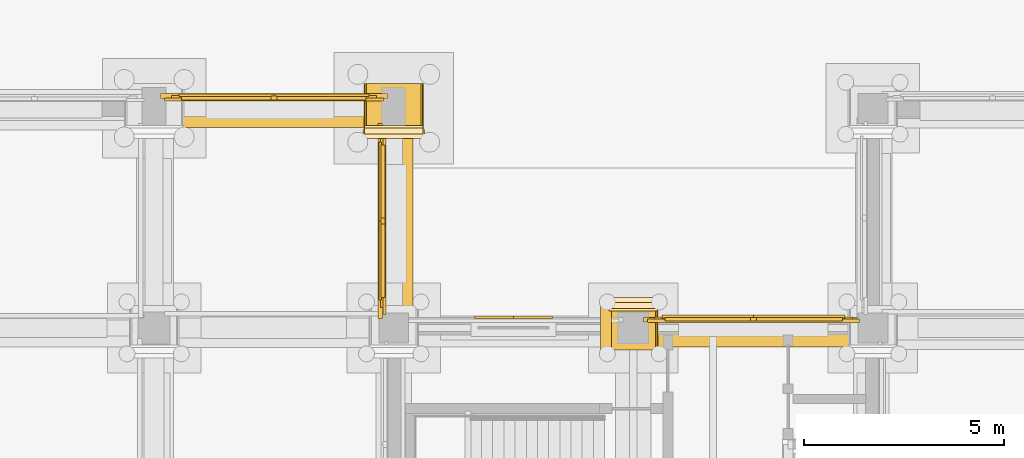
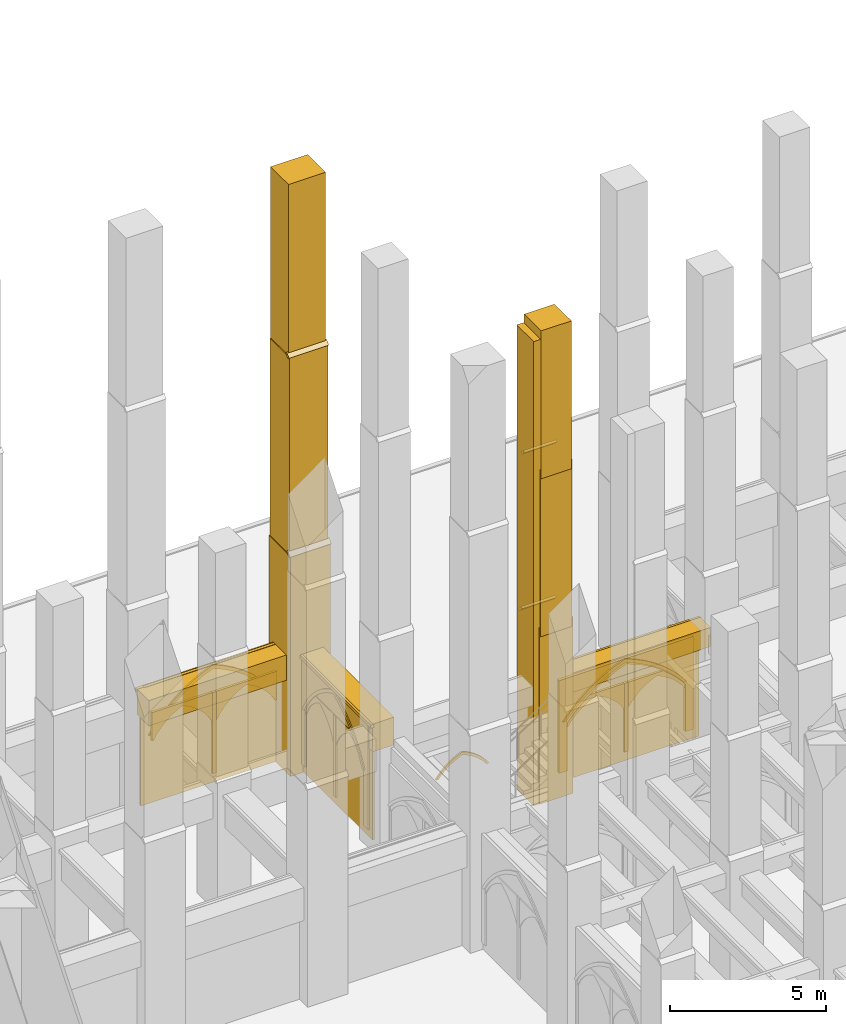
# One storey, part 120 of 135: 36 coverings.
"""IFC4 building model written with IfcOpenShell, lengths in metres."""

from ifc_helpers import new_model, si_unit, direction, frame, origin, origin_2d, place, context, subcontext, project, spatial, polyline, rectangle, outline, extrude, material, type_object, element, save


model = new_model("IFC4")

# Units and contexts
model_context = context("Model", 3, precision=1e-05, world=origin(), true_north=direction((0.0, 1.0)))
body_context = subcontext(model_context, "Body", "Model", "MODEL_VIEW")
ifc_project = project(units=[si_unit("LENGTHUNIT", "METRE"), si_unit("AREAUNIT", "SQUARE_METRE"), si_unit("VOLUMEUNIT", "CUBIC_METRE"), si_unit("PLANEANGLEUNIT", "RADIAN"), si_unit("MASSUNIT", "GRAM", prefix="KILO")], contexts=[model_context])

# Site, building, storey
site_placement = place(None, origin())
site = spatial("IfcSite", under=ifc_project, at=site_placement, CompositionType="ELEMENT")
building_placement = place(site_placement, origin())
building = spatial("IfcBuilding", under=site, at=building_placement, Name="Cumevento Cable Car Station", CompositionType="ELEMENT")
storey_placement = place(building_placement, origin())
storey = spatial("IfcBuildingStorey", under=building, at=storey_placement, Name="L01", CompositionType="ELEMENT", Elevation=0.0)

# Coverings
ifc_material = material(Name="Gnaisse Facoidal Stone Ashlar 85 MPa", Category="masonry")
covering_type = type_object("IfcCoveringType", Name="Gnaisse Ashlar Cladding CV-CL01", PredefinedType="CLADDING", material=ifc_material)
covering_1_placement = place(storey_placement, frame((118.0, 56.4423828125, -0.06005859375), z_axis=(0.0, 0.0, 1.0), x_axis=(1.0, 0.0, 0.0)))
element("IfcCovering", 1, at=covering_1_placement, inside=storey, type_object=covering_type, Name="Stepped Gothic Stone Buttress Tier 1 bt:118.0:56.5", PredefinedType="CLADDING", context=body_context, shape_type="SweptSolid", body=[
    extrude(rectangle(XDim=1.489990234375, YDim=1.364990234375, at=origin_2d()), origin(), (0.0, 0.0, 1.0), 8.595703125),
])
covering_2_placement = place(storey_placement, frame((117.235107421875, 55.739990234375, 8.515625), z_axis=(0.0, -0.711135781079, 0.703054692658), x_axis=(1.0, 0.0, 0.0)))
element("IfcCovering", 2, at=covering_2_placement, inside=storey, type_object=covering_type, Name="Gothic Buttress Sloped Stone Weathering 1 bt:118.0:56.5", PredefinedType="CLADDING", context=body_context, shape_type="SweptSolid", body=[
    extrude(outline(polyline([(0.0, 0.0), (1.52978515625, 0.0), (1.52978515625, 0.24169083397703695), (0.0, 0.24169083397703695), (0.0, 0.0)])), origin(), (0.0, 0.0, -1.0), 0.090087890625),
])
covering_3_placement = place(storey_placement, frame((118.0, 56.50244140625, 8.0830078125), z_axis=(0.0, 0.0, 1.0), x_axis=(1.0, 0.0, 0.0)))
element("IfcCovering", 3, at=covering_3_placement, inside=storey, type_object=covering_type, Name="Stepped Gothic Stone Buttress Tier 2 bt:118.0:56.5", PredefinedType="CLADDING", context=body_context, shape_type="SweptSolid", body=[
    extrude(rectangle(XDim=1.429931640625, YDim=1.2451171875, at=origin_2d()), origin(), (0.0, 0.0, 1.0), 8.143310546875),
])
covering_4_placement = place(storey_placement, frame((117.264892578125, 55.860107421875, 16.206298828125), z_axis=(0.0, -0.714474823669, 0.699661151089), x_axis=(1.0, 0.0, 0.0)))
element("IfcCovering", 4, at=covering_4_placement, inside=storey, type_object=covering_type, Name="Gothic Buttress Sloped Stone Weathering 2 bt:118.0:56.5", PredefinedType="CLADDING", context=body_context, shape_type="SweptSolid", body=[
    extrude(outline(polyline([(0.0, 0.0), (1.47021484375, 0.0), (1.47021484375, 0.21424991728737658), (0.0, 0.21424991728737658), (0.0, 0.0)])), origin(), (0.0, 0.0, -1.0), 0.090087890625),
])
covering_5_placement = place(storey_placement, frame((118.0, 56.552490234375, 15.77392578125), z_axis=(0.0, 0.0, 1.0), x_axis=(1.0, 0.0, 0.0)))
element("IfcCovering", 5, at=covering_5_placement, inside=storey, type_object=covering_type, Name="Stepped Gothic Stone Buttress Tier 3 bt:118.0:56.5", PredefinedType="CLADDING", context=body_context, shape_type="SweptSolid", body=[
    extrude(rectangle(XDim=1.3701171875, YDim=1.14501953125, at=origin_2d()), origin(), (0.0, 0.0, 1.0), 7.1259765625),
])
covering_6_placement = place(storey_placement, frame((124.0, 51.090087890625, -0.06005859375), z_axis=(0.0, 0.0, 1.0), x_axis=(-1.0, 0.0, 0.0)))
element("IfcCovering", 6, at=covering_6_placement, inside=storey, type_object=covering_type, Name="Stepped Gothic Stone Buttress Tier 1 bt:124.0:51.0", PredefinedType="CLADDING", context=body_context, shape_type="SweptSolid", body=[
    extrude(rectangle(XDim=1.239990234375, YDim=1.300048828125, at=origin_2d()), origin(), (0.0, 0.0, 1.0), 6.885498046875),
])
covering_7_placement = place(storey_placement, frame((124.639892578125, 51.760009765625, 6.8056640625), z_axis=(0.0, 0.711135781079, 0.703054692658), x_axis=(-1.0, 0.0, 0.0)))
element("IfcCovering", 7, at=covering_7_placement, inside=storey, type_object=covering_type, Name="Gothic Buttress Sloped Stone Weathering 1 bt:124.0:51.0", PredefinedType="CLADDING", context=body_context, shape_type="SweptSolid", body=[
    extrude(outline(polyline([(0.0, 0.0), (1.27978515625, 0.0), (1.27978515625, 0.24169083397703695), (0.0, 0.24169083397703695), (0.0, 0.0)])), origin(), (0.0, 0.0, -1.0), 0.090087890625),
])
covering_8_placement = place(storey_placement, frame((124.0, 51.030029296875, 6.46337890625), z_axis=(0.0, 0.0, 1.0), x_axis=(-1.0, 0.0, 0.0)))
element("IfcCovering", 8, at=covering_8_placement, inside=storey, type_object=covering_type, Name="Stepped Gothic Stone Buttress Tier 2 bt:124.0:51.0", PredefinedType="CLADDING", context=body_context, shape_type="SweptSolid", body=[
    extrude(rectangle(XDim=1.179931640625, YDim=1.179931640625, at=origin_2d()), origin(), (0.0, 0.0, 1.0), 6.523193359375),
])
covering_9_placement = place(storey_placement, frame((124.610107421875, 51.639892578125, 12.96630859375), z_axis=(0.0, 0.714474823669, 0.699661151089), x_axis=(-1.0, 0.0, 0.0)))
element("IfcCovering", 9, at=covering_9_placement, inside=storey, type_object=covering_type, Name="Gothic Buttress Sloped Stone Weathering 2 bt:124.0:51.0", PredefinedType="CLADDING", context=body_context, shape_type="SweptSolid", body=[
    extrude(outline(polyline([(0.0, 0.0), (1.22021484375, 0.0), (1.22021484375, 0.21424991728737655), (0.0, 0.21424991728737655), (0.0, 0.0)])), origin(), (0.0, 0.0, -1.0), 0.090087890625),
])
covering_10_placement = place(storey_placement, frame((124.0, 50.97998046875, 12.6240234375), z_axis=(0.0, 0.0, 1.0), x_axis=(-1.0, 0.0, 0.0)))
element("IfcCovering", 10, at=covering_10_placement, inside=storey, type_object=covering_type, Name="Stepped Gothic Stone Buttress Tier 3 bt:124.0:51.0", PredefinedType="CLADDING", context=body_context, shape_type="SweptSolid", body=[
    extrude(rectangle(XDim=1.1201171875, YDim=1.080078125, at=origin_2d()), origin(), (0.0, 0.0, 1.0), 5.77587890625),
])
covering_11_placement = place(storey_placement, frame((123.320068359375, 51.0, -0.06005859375), z_axis=(0.0, 0.0, 1.0), x_axis=(1.0, 0.0, 0.0)))
element("IfcCovering", 11, at=covering_11_placement, inside=storey, type_object=covering_type, Name="Corner Buttress Stone Return (124.0,51.0)", PredefinedType="CLADDING", context=body_context, shape_type="SweptSolid", body=[
    extrude(rectangle(XDim=0.280029296875, YDim=1.080078125, at=origin_2d()), origin(), (0.0, 0.0, 1.0), 18.1201171875),
])
covering_12_placement = place(storey_placement, frame((115.0, 56.39990234375, 3.5400390625), z_axis=(0.0, 0.0, 1.0), x_axis=(1.0, 0.0, 0.0)))
element("IfcCovering", 12, at=covering_12_placement, inside=storey, type_object=covering_type, Name="Gothic Stone Spandrel Stringcourse sc:0149", PredefinedType="CLADDING", context=body_context, shape_type="SweptSolid", body=[
    extrude(rectangle(XDim=5.639892578125, YDim=0.760009765625, at=origin_2d()), origin(), (0.0, 0.0, 1.0), 0.989990234375),
])
covering_13_placement = place(storey_placement, frame((115.0, 56.8076171875, 4.400146484375), z_axis=(0.0, 0.0, 1.0), x_axis=(1.0, 0.0, 0.0)))
element("IfcCovering", 13, at=covering_13_placement, inside=storey, type_object=covering_type, Name="Gothic Cornice Dripstone Lip sc:0149", PredefinedType="CLADDING", context=body_context, shape_type="SweptSolid", body=[
    extrude(rectangle(XDim=5.679931640625, YDim=0.114990234375, at=origin_2d()), origin(), (0.0, 0.0, 1.0), 0.1298828125),
])
covering_14_placement = place(storey_placement, frame((118.08740234375, 53.675048828125, 3.47802734375), z_axis=(0.0, 0.0, 1.0), x_axis=(0.0, 1.0, 0.0)))
element("IfcCovering", 14, at=covering_14_placement, inside=storey, type_object=covering_type, Name="Gothic Stone Spandrel Stringcourse sc:0159", PredefinedType="CLADDING", context=body_context, shape_type="SweptSolid", body=[
    extrude(rectangle(XDim=4.840087890625, YDim=0.784912109375, at=origin_2d()), origin(), (0.0, 0.0, 1.0), 1.090087890625),
])
covering_15_placement = place(storey_placement, frame((117.66748046875, 53.675048828125, 4.43798828125), z_axis=(0.0, 0.0, 1.0), x_axis=(0.0, 1.0, 0.0)))
element("IfcCovering", 15, at=covering_15_placement, inside=storey, type_object=covering_type, Name="Gothic Cornice Dripstone Lip sc:0159", PredefinedType="CLADDING", context=body_context, shape_type="SweptSolid", body=[
    extrude(rectangle(XDim=4.8798828125, YDim=0.114990234375, at=origin_2d()), origin(), (0.0, 0.0, 1.0), 0.1298828125),
])
covering_16_placement = place(storey_placement, frame((127.012451171875, 50.85009765625, 3.821044921875), z_axis=(0.0, 0.0, 1.0), x_axis=(1.0, 0.0, 0.0)))
element("IfcCovering", 16, at=covering_16_placement, inside=storey, type_object=covering_type, Name="Gothic Stone Spandrel Stringcourse sc:0231", PredefinedType="CLADDING", context=body_context, shape_type="SweptSolid", body=[
    extrude(rectangle(XDim=5.465087890625, YDim=0.659912109375, at=origin_2d()), origin(), (0.0, 0.0, 1.0), 0.7470703125),
])
covering_17_placement = place(storey_placement, frame((127.012451171875, 51.20751953125, 4.43798828125), z_axis=(0.0, 0.0, 1.0), x_axis=(1.0, 0.0, 0.0)))
element("IfcCovering", 17, at=covering_17_placement, inside=storey, type_object=covering_type, Name="Gothic Cornice Dripstone Lip sc:0231", PredefinedType="CLADDING", context=body_context, shape_type="SweptSolid", body=[
    extrude(rectangle(XDim=5.5048828125, YDim=0.114990234375, at=origin_2d()), origin(), (0.0, 0.0, 1.0), 0.1298828125),
])
covering_18_placement = place(storey_placement, frame((112.300048828125, 56.5, 0.0), z_axis=(0.0, 0.0, 1.0), x_axis=(1.0, 0.0, 0.0)))
element("IfcCovering", 18, at=covering_18_placement, inside=storey, type_object=covering_type, Name="Exterior Gnaisse Stone Wall Ashlar #46", PredefinedType="CLADDING", context=body_context, shape_type="SweptSolid", body=[
    extrude(outline(polyline([(-0.0400390625, -0.02001953125), (5.43994140625, -0.02001953125), (5.43994140625, 4.52001953125), (-0.0400390625, 4.52001953125), (-0.0400390625, -0.02001953125)])), frame((0.0, 0.262451171875, 0.0), z_axis=(0.0, -1.0, 0.0), x_axis=(1.0, 0.0, 0.0)), (0.0, 0.0, 1.0), 0.0849609375),
])
placement_1 = place(storey_placement, frame((112.47998046875, 56.5, 0.300048828125), z_axis=(0.0, 0.0, 1.0), x_axis=(1.0, 0.0, 0.0)))
element("IfcCovering", 19, at=placement_1, inside=storey, type_object=covering_type, Name="Gothic Ogival Pointed-Arch Stone Spandrel blind_ogival:0046", PredefinedType="CLADDING", context=body_context, shape_type="SweptSolid", body=[
    extrude(outline(polyline([(-0.050048828125, 0.0), (-0.050048828125, 4.239990234375), (5.090087890625, 4.239990234375), (5.090087890625, 0.0), (4.780029296875, 0.0), (4.780029296875, 2.219970703125), (4.531982421875, 2.55810546875), (4.255126953125, 2.872802734375), (3.951416015625, 3.161865234375), (3.62353515625, 3.423095703125), (3.273681640625, 3.654296875), (2.905029296875, 3.853759765625), (2.52001953125, 4.02001953125), (2.135009765625, 3.853759765625), (1.766357421875, 3.654296875), (1.41650390625, 3.423095703125), (1.088623046875, 3.161865234375), (0.784912109375, 2.872802734375), (0.508056640625, 2.55810546875), (0.260009765625, 2.219970703125), (0.260009765625, 0.0), (-0.050048828125, 0.0)])), frame((0.0, 0.3173828125, 0.0), z_axis=(0.0, -1.0, 0.0), x_axis=(1.0, 0.0, 0.0)), (0.0, 0.0, 1.0), 0.110107421875),
])
covering_20_placement = place(storey_placement, frame((112.47998046875, 56.5, 2.52001953125), z_axis=(0.0, 0.0, 1.0), x_axis=(1.0, 0.0, 0.0)))
element("IfcCovering", 20, at=covering_20_placement, inside=storey, type_object=covering_type, Name="Gothic Pointed Archivolt Hood Moulding blind_ogival:0046", PredefinedType="CLADDING", context=body_context, shape_type="SweptSolid", body=[
    extrude(outline(polyline([(0.260009765625, 0.0), (0.508056640625, 0.338134765625), (0.784912109375, 0.65283203125), (1.088623046875, 0.94189453125), (1.41650390625, 1.203125), (1.766357421875, 1.434326171875), (2.135009765625, 1.6337890625), (2.52001953125, 1.800048828125), (2.905029296875, 1.6337890625), (3.273681640625, 1.434326171875), (3.62353515625, 1.203125), (3.951416015625, 0.94189453125), (4.255126953125, 0.65283203125), (4.531982421875, 0.338134765625), (4.780029296875, 0.0), (4.90087890625, 0.0), (4.6435546875, 0.365478515625), (4.354248046875, 0.706298828125), (4.03564453125, 1.01953125), (3.689697265625, 1.302978515625), (3.31982421875, 1.553955078125), (2.928955078125, 1.770751953125), (2.52001953125, 1.951171875), (2.111083984375, 1.770751953125), (1.72021484375, 1.553955078125), (1.350341796875, 1.302978515625), (1.00439453125, 1.01953125), (0.685791015625, 0.706298828125), (0.396484375, 0.365478515625), (0.138916015625, 0.0), (0.260009765625, 0.0)])), frame((0.0, 0.359619140625, 0.0), z_axis=(0.0, -1.0, 0.0), x_axis=(1.0, 0.0, 0.0)), (0.0, 0.0, 1.0), 0.06689453125),
])
element("IfcCovering", 21, at=placement_1, inside=storey, type_object=covering_type, Name="Gothic Bifora Stone Colonnette blind_ogival:0046 #1", PredefinedType="CLADDING", context=body_context, shape_type="SweptSolid", body=[
    extrude(outline(polyline([(2.445068359375, -0.02001953125), (2.594970703125, -0.02001953125), (2.594970703125, 3.156005859375), (2.445068359375, 3.156005859375), (2.445068359375, -0.02001953125)])), frame((0.0, 0.305419921875, 0.0), z_axis=(0.0, -1.0, 0.0), x_axis=(1.0, 0.0, 0.0)), (0.0, 0.0, 1.0), 0.094970703125),
])
for number, where, z_axis, x_axis, name in (
    (22, (112.7099609375, 56.5, 2.340087890625), (0.0, 0.0, 1.0), (1.0, 0.0, 0.0), "Gothic Ogival Pointed-Arch Stone Spandrel blind_ogival:0046:sub:0"),
    (23, (115.044921875, 56.5, 2.340087890625), (0.0, 0.0, 1.0), (1.0, 0.0, 0.0), "Gothic Ogival Pointed-Arch Stone Spandrel blind_ogival:0046:sub:1"),
):
    element("IfcCovering", number, at=place(storey_placement, frame(where, z_axis=z_axis, x_axis=x_axis)), inside=storey, type_object=covering_type, Name=name, PredefinedType="CLADDING", context=body_context, shape_type="SweptSolid", body=[
        extrude(outline(polyline([(-0.02001953125, 0.0), (-0.02001953125, 1.115966796875), (2.264892578125, 1.115966796875), (2.264892578125, 0.0), (2.205078125, 0.0), (2.076171875, 0.214111328125), (1.923828125, 0.412109375), (1.75, 0.591552734375), (1.556640625, 0.75), (1.3466796875, 0.88525390625), (1.12255859375, 0.99609375), (0.8984375, 0.88525390625), (0.6884765625, 0.75), (0.4951171875, 0.591552734375), (0.3212890625, 0.412109375), (0.1689453125, 0.214111328125), (0.0400390625, 0.0), (-0.02001953125, 0.0)])), frame((0.0, 0.301513671875, 0.0), z_axis=(0.0, -1.0, 0.0), x_axis=(1.0, 0.0, 0.0)), (0.0, 0.0, 1.0), 0.090087890625),
    ])
covering_22_placement = place(storey_placement, frame((118.0, 51.375, 0.0), z_axis=(0.0, 0.0, 1.0), x_axis=(0.0, 1.0, 0.0)))
element("IfcCovering", 24, at=covering_22_placement, inside=storey, type_object=covering_type, Name="Exterior Gnaisse Stone Wall Ashlar #47", PredefinedType="CLADDING", context=body_context, shape_type="SweptSolid", body=[
    extrude(outline(polyline([(-0.0400390625, -0.02001953125), (4.639892578125, -0.02001953125), (4.639892578125, 4.52001953125), (-0.0400390625, 4.52001953125), (-0.0400390625, -0.02001953125)])), frame((0.0, 0.27490234375, 0.0), z_axis=(0.0, -1.0, 0.0), x_axis=(1.0, 0.0, 0.0)), (0.0, 0.0, 1.0), 0.0849609375),
])
placement_2 = place(storey_placement, frame((118.0, 51.554931640625, 0.300048828125), z_axis=(0.0, 0.0, 1.0), x_axis=(0.0, 1.0, 0.0)))
element("IfcCovering", 25, at=placement_2, inside=storey, type_object=covering_type, Name="Gothic Ogival Pointed-Arch Stone Spandrel blind_ogival:0047", PredefinedType="CLADDING", context=body_context, shape_type="SweptSolid", body=[
    extrude(outline(polyline([(-0.050048828125, 0.0), (-0.050048828125, 4.239990234375), (4.2900390625, 4.239990234375), (4.2900390625, 0.0), (3.97998046875, 0.0), (3.97998046875, 2.219970703125), (3.799560546875, 2.551513671875), (3.58642578125, 2.863037109375), (3.34326171875, 3.151611328125), (3.072021484375, 3.4140625), (2.775634765625, 3.647705078125), (2.457275390625, 3.850341796875), (2.1201171875, 4.02001953125), (1.78271484375, 3.850341796875), (1.46435546875, 3.647705078125), (1.16796875, 3.4140625), (0.896728515625, 3.151611328125), (0.653564453125, 2.863037109375), (0.4404296875, 2.551513671875), (0.260009765625, 2.219970703125), (0.260009765625, 0.0), (-0.050048828125, 0.0)])), frame((0.0, 0.330078125, 0.0), z_axis=(0.0, -1.0, 0.0), x_axis=(1.0, 0.0, 0.0)), (0.0, 0.0, 1.0), 0.110107421875),
])
covering_24_placement = place(storey_placement, frame((118.0, 51.554931640625, 2.52001953125), z_axis=(0.0, 0.0, 1.0), x_axis=(0.0, 1.0, 0.0)))
element("IfcCovering", 26, at=covering_24_placement, inside=storey, type_object=covering_type, Name="Gothic Pointed Archivolt Hood Moulding blind_ogival:0047", PredefinedType="CLADDING", context=body_context, shape_type="SweptSolid", body=[
    extrude(outline(polyline([(0.260009765625, 0.0), (0.4404296875, 0.33154296875), (0.653564453125, 0.64306640625), (0.896728515625, 0.931640625), (1.16796875, 1.194091796875), (1.46435546875, 1.427734375), (1.78271484375, 1.63037109375), (2.1201171875, 1.800048828125), (2.457275390625, 1.63037109375), (2.775634765625, 1.427734375), (3.072021484375, 1.194091796875), (3.34326171875, 0.931640625), (3.58642578125, 0.64306640625), (3.799560546875, 0.33154296875), (3.97998046875, 0.0), (4.10107421875, 0.0), (3.911376953125, 0.358642578125), (3.686279296875, 0.696044921875), (3.427734375, 1.0087890625), (3.138671875, 1.29345703125), (2.822265625, 1.547119140625), (2.4814453125, 1.76708984375), (2.1201171875, 1.951171875), (1.758544921875, 1.76708984375), (1.417724609375, 1.547119140625), (1.101318359375, 1.29345703125), (0.812255859375, 1.0087890625), (0.5537109375, 0.696044921875), (0.32861328125, 0.358642578125), (0.138916015625, 0.0), (0.260009765625, 0.0)])), frame((0.0, 0.3720703125, 0.0), z_axis=(0.0, -1.0, 0.0), x_axis=(1.0, 0.0, 0.0)), (0.0, 0.0, 1.0), 0.06689453125),
])
element("IfcCovering", 27, at=placement_2, inside=storey, type_object=covering_type, Name="Gothic Bifora Stone Colonnette blind_ogival:0047 #1", PredefinedType="CLADDING", context=body_context, shape_type="SweptSolid", body=[
    extrude(outline(polyline([(2.044921875, -0.02001953125), (2.195068359375, -0.02001953125), (2.195068359375, 3.156005859375), (2.044921875, 3.156005859375), (2.044921875, -0.02001953125)])), frame((0.0, 0.318115234375, 0.0), z_axis=(0.0, -1.0, 0.0), x_axis=(1.0, 0.0, 0.0)), (0.0, 0.0, 1.0), 0.094970703125),
])
for number, where, z_axis, x_axis, name in (
    (28, (118.0, 51.784912109375, 2.340087890625), (0.0, 0.0, 1.0), (0.0, 1.0, 0.0), "Gothic Ogival Pointed-Arch Stone Spandrel blind_ogival:0047:sub:0"),
    (29, (118.0, 53.719970703125, 2.340087890625), (0.0, 0.0, 1.0), (0.0, 1.0, 0.0), "Gothic Ogival Pointed-Arch Stone Spandrel blind_ogival:0047:sub:1"),
):
    element("IfcCovering", number, at=place(storey_placement, frame(where, z_axis=z_axis, x_axis=x_axis)), inside=storey, type_object=covering_type, Name=name, PredefinedType="CLADDING", context=body_context, shape_type="SweptSolid", body=[
        extrude(outline(polyline([(-0.02001953125, 0.0), (-0.02001953125, 1.115966796875), (1.864990234375, 1.115966796875), (1.864990234375, 0.0), (1.804931640625, 0.0), (1.71630859375, 0.209228515625), (1.601318359375, 0.4052734375), (1.4619140625, 0.5849609375), (1.30029296875, 0.744873046875), (1.11962890625, 0.8828125), (0.922607421875, 0.99609375), (0.725341796875, 0.8828125), (0.544677734375, 0.744873046875), (0.383056640625, 0.5849609375), (0.24365234375, 0.4052734375), (0.128662109375, 0.209228515625), (0.0400390625, 0.0), (-0.02001953125, 0.0)])), frame((0.0, 0.31396484375, 0.0), z_axis=(0.0, -1.0, 0.0), x_axis=(1.0, 0.0, 0.0)), (0.0, 0.0, 1.0), 0.090087890625),
    ])
covering_26_placement = place(storey_placement, frame((119.97998046875, 51.0, 1.569580078125), z_axis=(0.0, 0.0, 1.0), x_axis=(1.0, 0.0, 0.0)))
element("IfcCovering", 30, at=covering_26_placement, inside=storey, type_object=covering_type, Name="Gothic Pointed Archivolt Hood Moulding op_ogival:0168:1", PredefinedType="CLADDING", context=body_context, shape_type="SweptSolid", body=[
    extrude(outline(polyline([(0.139892578125, 0.0), (0.239990234375, 0.123046875), (0.35009765625, 0.237060546875), (0.46923828125, 0.341552734375), (0.5966796875, 0.435791015625), (0.731689453125, 0.51904296875), (0.873046875, 0.5908203125), (1.02001953125, 0.650390625), (1.1669921875, 0.5908203125), (1.308349609375, 0.51904296875), (1.443359375, 0.435791015625), (1.57080078125, 0.341552734375), (1.68994140625, 0.237060546875), (1.800048828125, 0.123046875), (1.89990234375, 0.0), (1.9990234375, 0.0), (1.89111328125, 0.1455078125), (1.77099609375, 0.281005859375), (1.639404296875, 0.4052734375), (1.497314453125, 0.517578125), (1.345947265625, 0.616943359375), (1.1865234375, 0.70263671875), (1.02001953125, 0.774169921875), (0.853515625, 0.70263671875), (0.694091796875, 0.616943359375), (0.542724609375, 0.517578125), (0.400634765625, 0.4052734375), (0.26904296875, 0.281005859375), (0.14892578125, 0.1455078125), (0.041015625, 0.0), (0.139892578125, 0.0)])), frame((0.0, 0.302490234375, 0.0), z_axis=(0.0, -1.0, 0.0), x_axis=(1.0, 0.0, 0.0)), (0.0, 0.0, 1.0), 0.06689453125),
])
covering_27_placement = place(storey_placement, frame((124.39990234375, 51.0, 0.0), z_axis=(0.0, 0.0, 1.0), x_axis=(1.0, 0.0, 0.0)))
element("IfcCovering", 31, at=covering_27_placement, inside=storey, type_object=covering_type, Name="Exterior Gnaisse Stone Wall Ashlar #170", PredefinedType="CLADDING", context=body_context, shape_type="SweptSolid", body=[
    extrude(outline(polyline([(-0.0400390625, -0.02001953125), (5.264892578125, -0.02001953125), (5.264892578125, 3.90087890625), (-0.0400390625, 3.90087890625), (-0.0400390625, -0.02001953125)])), frame((0.0, 0.222412109375, 0.0), z_axis=(0.0, -1.0, 0.0), x_axis=(1.0, 0.0, 0.0)), (0.0, 0.0, 1.0), 0.0849609375),
])
placement_3 = place(storey_placement, frame((124.580078125, 51.0, 0.300048828125), z_axis=(0.0, 0.0, 1.0), x_axis=(1.0, 0.0, 0.0)))
element("IfcCovering", 32, at=placement_3, inside=storey, type_object=covering_type, Name="Gothic Ogival Pointed-Arch Stone Spandrel blind_ogival:0170", PredefinedType="CLADDING", context=body_context, shape_type="SweptSolid", body=[
    extrude(outline(polyline([(-0.050048828125, 0.0), (-0.050048828125, 3.62109375), (4.9150390625, 3.62109375), (4.9150390625, 0.0), (4.60498046875, 0.0), (4.60498046875, 1.873291015625), (4.3525390625, 2.1630859375), (4.07763671875, 2.431884765625), (3.781982421875, 2.677490234375), (3.4677734375, 2.898681640625), (3.136474609375, 3.093994140625), (2.790771484375, 3.26171875), (2.4326171875, 3.40087890625), (2.07421875, 3.26171875), (1.728515625, 3.093994140625), (1.397216796875, 2.898681640625), (1.0830078125, 2.677490234375), (0.787353515625, 2.431884765625), (0.512451171875, 2.1630859375), (0.260009765625, 1.873291015625), (0.260009765625, 0.0), (-0.050048828125, 0.0)])), frame((0.0, 0.277587890625, 0.0), z_axis=(0.0, -1.0, 0.0), x_axis=(1.0, 0.0, 0.0)), (0.0, 0.0, 1.0), 0.110107421875),
])
covering_29_placement = place(storey_placement, frame((124.580078125, 51.0, 2.17333984375), z_axis=(0.0, 0.0, 1.0), x_axis=(1.0, 0.0, 0.0)))
element("IfcCovering", 33, at=covering_29_placement, inside=storey, type_object=covering_type, Name="Gothic Pointed Archivolt Hood Moulding blind_ogival:0170", PredefinedType="CLADDING", context=body_context, shape_type="SweptSolid", body=[
    extrude(outline(polyline([(0.260009765625, 0.0), (0.512451171875, 0.289794921875), (0.787353515625, 0.55859375), (1.0830078125, 0.80419921875), (1.397216796875, 1.025390625), (1.728515625, 1.220458984375), (2.07421875, 1.38818359375), (2.4326171875, 1.527587890625), (2.790771484375, 1.38818359375), (3.136474609375, 1.220458984375), (3.4677734375, 1.025390625), (3.781982421875, 0.80419921875), (4.07763671875, 0.55859375), (4.3525390625, 0.289794921875), (4.60498046875, 0.0), (4.72607421875, 0.0), (4.464111328125, 0.317626953125), (4.176513671875, 0.6123046875), (3.86572265625, 0.88232421875), (3.533447265625, 1.12548828125), (3.18212890625, 1.340087890625), (2.814453125, 1.525146484375), (2.4326171875, 1.678955078125), (2.050537109375, 1.525146484375), (1.682861328125, 1.340087890625), (1.33154296875, 1.12548828125), (0.999267578125, 0.88232421875), (0.6884765625, 0.6123046875), (0.40087890625, 0.317626953125), (0.138916015625, 0.0), (0.260009765625, 0.0)])), frame((0.0, 0.319580078125, 0.0), z_axis=(0.0, -1.0, 0.0), x_axis=(1.0, 0.0, 0.0)), (0.0, 0.0, 1.0), 0.06689453125),
])
element("IfcCovering", 34, at=placement_3, inside=storey, type_object=covering_type, Name="Gothic Bifora Stone Colonnette blind_ogival:0170 #1", PredefinedType="CLADDING", context=body_context, shape_type="SweptSolid", body=[
    extrude(outline(polyline([(2.357421875, -0.02001953125), (2.507568359375, -0.02001953125), (2.507568359375, 2.667724609375), (2.357421875, 2.667724609375), (2.357421875, -0.02001953125)])), frame((0.0, 0.265380859375, 0.0), z_axis=(0.0, -1.0, 0.0), x_axis=(1.0, 0.0, 0.0)), (0.0, 0.0, 1.0), 0.094970703125),
])
for number, where, z_axis, x_axis, name in (
    (35, (124.81005859375, 51.0, 1.993408203125), (0.0, 0.0, 1.0), (1.0, 0.0, 0.0), "Gothic Ogival Pointed-Arch Stone Spandrel blind_ogival:0170:sub:0"),
    (36, (127.0576171875, 51.0, 1.993408203125), (0.0, 0.0, 1.0), (1.0, 0.0, 0.0), "Gothic Ogival Pointed-Arch Stone Spandrel blind_ogival:0170:sub:1"),
):
    element("IfcCovering", number, at=place(storey_placement, frame(where, z_axis=z_axis, x_axis=x_axis)), inside=storey, type_object=covering_type, Name=name, PredefinedType="CLADDING", context=body_context, shape_type="SweptSolid", body=[
        extrude(outline(polyline([(-0.02001953125, 0.0), (-0.02001953125, 0.974365234375), (2.177490234375, 0.974365234375), (2.177490234375, 0.0), (2.117431640625, 0.0), (1.9853515625, 0.185546875), (1.83447265625, 0.356201171875), (1.666259765625, 0.510009765625), (1.48291015625, 0.645263671875), (1.286376953125, 0.760498046875), (1.078857421875, 0.8544921875), (0.87109375, 0.760498046875), (0.674560546875, 0.645263671875), (0.4912109375, 0.510009765625), (0.322998046875, 0.356201171875), (0.172119140625, 0.185546875), (0.0400390625, 0.0), (-0.02001953125, 0.0)])), frame((0.0, 0.261474609375, 0.0), z_axis=(0.0, -1.0, 0.0), x_axis=(1.0, 0.0, 0.0)), (0.0, 0.0, 1.0), 0.090087890625),
    ])

save(model, "model.ifc")
